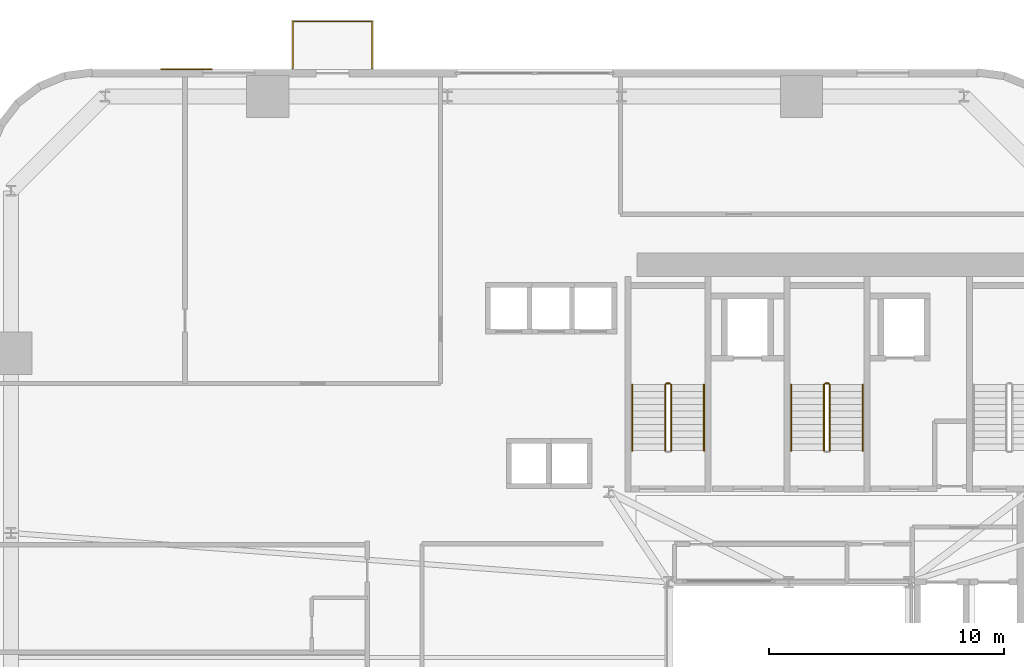
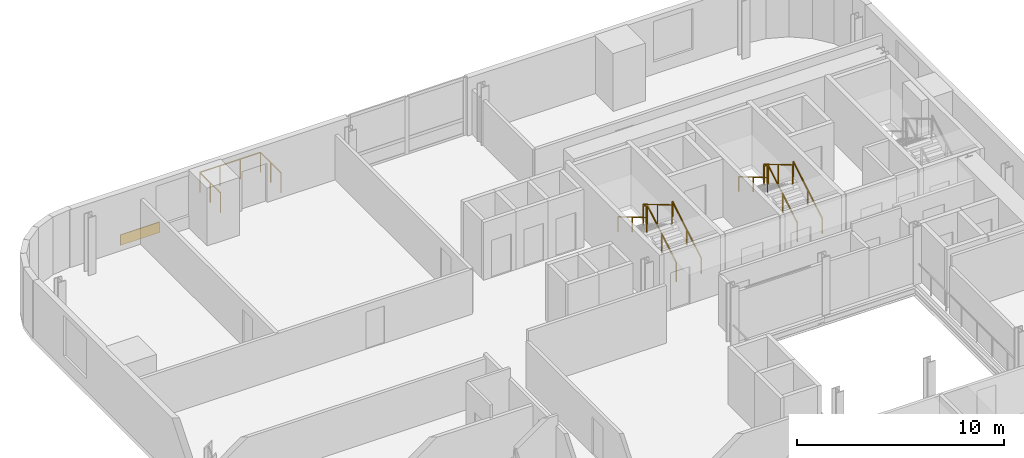
# One storey, part 12 of 13: 11 railings, 1 covering.
"""IFC4 building model written with IfcOpenShell, lengths in metres."""

from ifc_helpers import new_model, si_unit, direction, frame, origin, origin_2d, place, context, subcontext, project, spatial, rectangle, extrude, source, transform, mapped, material, layer, layer_set, type_object, element, save


model = new_model("IFC4")

# Units and contexts
model_context = context("Model", 3, precision=1e-05, world=origin(), true_north=direction((0.0, 1.0)))
body_context = subcontext(model_context, "Body", "Model", "MODEL_VIEW")
ifc_project = project(units=[si_unit("LENGTHUNIT", "METRE"), si_unit("AREAUNIT", "SQUARE_METRE"), si_unit("VOLUMEUNIT", "CUBIC_METRE"), si_unit("PLANEANGLEUNIT", "RADIAN"), si_unit("MASSUNIT", "GRAM", prefix="KILO")], contexts=[model_context])

# Site, building, storey
site_placement = place(None, origin())
site = spatial("IfcSite", under=ifc_project, at=site_placement, CompositionType="ELEMENT")
building_placement = place(site_placement, origin())
building = spatial("IfcBuilding", under=site, at=building_placement, Name="Vardaveli Station Tower", CompositionType="ELEMENT")
storey_placement = place(building_placement, frame((0.0, 0.0, 38.550048828125)))
storey = spatial("IfcBuildingStorey", under=building, at=storey_placement, Name="L09", CompositionType="ELEMENT", Elevation=38.550048828125)

# Covering
ifc_material_1 = material(Name="Ventilated honed travertine stone cladding", Category="masonry")
ifc_layer = layer(ifc_material_1, 0.044921875, Name="Ventilated honed travertine stone cladding")
ifc_layer_set = layer_set([ifc_layer], Name="Ventilated honed travertine stone cladding")
covering_type = type_object("IfcCoveringType", Name="COV-CLAD-TR45", PredefinedType="CLADDING", material=ifc_layer_set)
shared_shape_1 = source(origin(), body_context, "Body", "SweptSolid", [
    extrude(rectangle(XDim=2.199951171875, YDim=0.044921875, at=origin_2d()), origin(), (0.0, 0.0, 1.0), 0.6201171875),
])
covering_placement = place(storey_placement, frame((10.705078125, 48.614501953125, 0.06982421875), z_axis=(0.0, 0.0, 1.0), x_axis=(1.0, 0.0, 0.0)))
element("IfcCovering", 1, at=covering_placement, inside=storey, type_object=covering_type, Name="CLD-TR-L09-N", PredefinedType="CLADDING", context=body_context, shape_type="MappedRepresentation", body=[
    mapped(shared_shape_1, transform((0.0, 0.0, 0.0), scale=1.0)),
])

# Railings
ifc_material_2 = material(Name="Laminated glass and stainless steel balustrade", Category="steel")
railing_type_1 = type_object("IfcRailingType", Name="RL-BAL-1200", PredefinedType="BALUSTRADE", material=ifc_material_2)
shared_shape_2 = source(origin(), body_context, "Body", "SweptSolid", [
    extrude(rectangle(XDim=0.048095703125, YDim=0.048095703125, at=origin_2d()), frame((0.0, 0.0, 1.17578125), z_axis=(0.0, 1.0, 0.0), x_axis=(-1.0, 0.0, 0.0)), (0.0, 0.0, 1.0), 2.0),
    extrude(rectangle(XDim=0.048095703125, YDim=0.048095703125, at=origin_2d()), frame((0.0, 2.0, 1.17578125), z_axis=(1.0, 0.0, 0.0), x_axis=(0.0, 1.0, 0.0)), (0.0, 0.0, 1.0), 3.3798828125),
    extrude(rectangle(XDim=0.048095703125, YDim=0.048095703125, at=origin_2d()), frame((3.3798828125, 2.0, 1.17578125), z_axis=(0.0, -1.0, 0.0), x_axis=(1.0, 0.0, 0.0)), (0.0, 0.0, 1.0), 2.0),
    extrude(rectangle(XDim=0.0419921875, YDim=0.0419921875, at=origin_2d()), origin(), (0.0, 0.0, 1.0), 1.15185546875),
    extrude(rectangle(XDim=0.0419921875, YDim=0.0419921875, at=origin_2d()), frame((0.0, 1.0, 0.0)), (0.0, 0.0, 1.0), 1.15185546875),
    extrude(rectangle(XDim=0.0419921875, YDim=0.0419921875, at=origin_2d()), frame((0.0, 2.0, 0.0)), (0.0, 0.0, 1.0), 1.15185546875),
    extrude(rectangle(XDim=0.0419921875, YDim=0.0419921875, at=origin_2d()), frame((1.126708984375, 2.0, 0.0)), (0.0, 0.0, 1.0), 1.15185546875),
    extrude(rectangle(XDim=0.0419921875, YDim=0.0419921875, at=origin_2d()), frame((2.253173828125, 2.0, 0.0)), (0.0, 0.0, 1.0), 1.15185546875),
    extrude(rectangle(XDim=0.0419921875, YDim=0.0419921875, at=origin_2d()), frame((3.3798828125, 2.0, 0.0)), (0.0, 0.0, 1.0), 1.15185546875),
    extrude(rectangle(XDim=0.0419921875, YDim=0.0419921875, at=origin_2d()), frame((3.3798828125, 1.0, 0.0)), (0.0, 0.0, 1.0), 1.15185546875),
    extrude(rectangle(XDim=0.0419921875, YDim=0.0419921875, at=origin_2d()), frame((3.3798828125, 0.0, 0.0)), (0.0, 0.0, 1.0), 1.15185546875),
])
railing_placement = place(storey_placement, frame((15.220458984375, 48.639892578125, 0.0)))
element("IfcRailing", 2, at=railing_placement, inside=storey, type_object=railing_type_1, Name="RL-LOG-L09-02", PredefinedType="BALUSTRADE", context=body_context, shape_type="MappedRepresentation", body=[
    mapped(shared_shape_2, transform((0.0, 0.0, 0.0), scale=1.0)),
])
ifc_material_3 = material(Name="Brushed AISI 316 stainless steel", Category="steel")
railing_type_2 = type_object("IfcRailingType", Name="RL-GUARD-1150", PredefinedType="GUARDRAIL", material=ifc_material_3)
shared_shape_3 = source(origin(), body_context, "Body", "SweptSolid", [
    extrude(rectangle(XDim=0.048095703125, YDim=0.048095703125, at=origin_2d()), frame((0.0, 0.0, 1.1259765625), z_axis=(-1.0, 0.0, 0.0), x_axis=(0.0, -1.0, 0.0)), (0.0, 0.0, 1.0), 0.14990234375),
    extrude(rectangle(XDim=0.0419921875, YDim=0.0419921875, at=origin_2d()), origin(), (0.0, 0.0, 1.0), 1.101806640625),
    extrude(rectangle(XDim=0.0419921875, YDim=0.0419921875, at=origin_2d()), frame((-0.14990234375, 0.0, 0.0)), (0.0, 0.0, 1.0), 1.101806640625),
])
for number, where, name in (
    (3, (31.25, 35.25, 1.824951171875), "L09 ST-1 stair guard 2"),
    (4, (38.0, 35.25, 1.824951171875), "L09 ST-2 stair guard 2"),
):
    element("IfcRailing", number, at=place(storey_placement, frame(where)), inside=storey, type_object=railing_type_2, Name=name, PredefinedType="GUARDRAIL", context=body_context, shape_type="MappedRepresentation", body=[
        mapped(shared_shape_3, transform((0.0, 0.0, 0.0), scale=1.0)),
    ])
shared_shape_4 = source(origin(), body_context, "Body", "SweptSolid", [
    extrude(rectangle(XDim=0.048095703125, YDim=0.048095703125, at=origin_2d()), frame((0.0, 0.0, 1.1259765625), z_axis=(0.0, 0.860306154799, 0.50977771628), x_axis=(-1.0, 0.0, 0.0)), (0.0, 0.0, 1.0), 3.254638671875),
    extrude(rectangle(XDim=0.0419921875, YDim=0.0419921875, at=origin_2d()), origin(), (0.0, 0.0, 1.0), 1.101806640625),
    extrude(rectangle(XDim=0.0419921875, YDim=0.0419921875, at=origin_2d()), frame((0.0, 1.39990234375, 0.82958984375)), (0.0, 0.0, 1.0), 1.101806640625),
    extrude(rectangle(XDim=0.0419921875, YDim=0.0419921875, at=origin_2d()), frame((0.0, 2.800048828125, 1.6591796875)), (0.0, 0.0, 1.0), 1.101806640625),
])
for number, where, name in (
    (5, (31.300048828125, 32.39990234375, 0.165771484375), "L09 ST-1 stair guard 1"),
    (6, (38.050048828125, 32.39990234375, 0.165771484375), "L09 ST-2 stair guard 1"),
):
    element("IfcRailing", number, at=place(storey_placement, frame(where)), inside=storey, type_object=railing_type_2, Name=name, PredefinedType="GUARDRAIL", context=body_context, shape_type="MappedRepresentation", body=[
        mapped(shared_shape_4, transform((0.0, 0.0, 0.0), scale=1.0)),
    ])
railing_type_3 = type_object("IfcRailingType", Name="RL-HAND-900", PredefinedType="HANDRAIL", material=ifc_material_3)
shared_shape_5 = source(origin(), body_context, "Body", "SweptSolid", [
    extrude(rectangle(XDim=0.048095703125, YDim=0.048095703125, at=origin_2d()), frame((0.0, 0.0, 0.8759765625), z_axis=(0.0, 0.860306154799, 0.50977771628), x_axis=(-1.0, 0.0, 0.0)), (0.0, 0.0, 1.0), 3.254638671875),
    extrude(rectangle(XDim=0.0419921875, YDim=0.0419921875, at=origin_2d()), origin(), (0.0, 0.0, 1.0), 0.851806640625),
    extrude(rectangle(XDim=0.0419921875, YDim=0.0419921875, at=origin_2d()), frame((0.0, 1.39990234375, 0.82958984375)), (0.0, 0.0, 1.0), 0.851806640625),
    extrude(rectangle(XDim=0.0419921875, YDim=0.0419921875, at=origin_2d()), frame((0.0, 2.800048828125, 1.6591796875)), (0.0, 0.0, 1.0), 0.851806640625),
])
for number, where, name in (
    (7, (32.699951171875, 32.39990234375, 0.165771484375), "L09 ST-1 stair handrail 1"),
    (8, (39.449951171875, 32.39990234375, 0.165771484375), "L09 ST-2 stair handrail 1"),
):
    element("IfcRailing", number, at=place(storey_placement, frame(where)), inside=storey, type_object=railing_type_3, Name=name, PredefinedType="HANDRAIL", context=body_context, shape_type="MappedRepresentation", body=[
        mapped(shared_shape_5, transform((0.0, 0.0, 0.0), scale=1.0)),
    ])
shared_shape_6 = source(origin(), body_context, "Body", "SweptSolid", [
    extrude(rectangle(XDim=0.048095703125, YDim=0.048095703125, at=origin_2d()), frame((0.0, 0.0, 1.1259765625), z_axis=(0.0, -0.860339051648, 0.50972219513), x_axis=(1.0, 0.0, 0.0)), (0.0, 0.0, 1.0), 3.254638671875),
    extrude(rectangle(XDim=0.0419921875, YDim=0.0419921875, at=origin_2d()), origin(), (0.0, 0.0, 1.0), 1.101806640625),
    extrude(rectangle(XDim=0.0419921875, YDim=0.0419921875, at=origin_2d()), frame((0.0, -1.39990234375, 0.82958984375)), (0.0, 0.0, 1.0), 1.101806640625),
    extrude(rectangle(XDim=0.0419921875, YDim=0.0419921875, at=origin_2d()), frame((0.0, -2.800048828125, 1.658935546875)), (0.0, 0.0, 1.0), 1.101806640625),
])
for number, where, name in (
    (9, (31.050048828125, 35.199951171875, 1.990966796875), "L09 ST-1 stair guard 3"),
    (10, (37.800048828125, 35.199951171875, 1.990966796875), "L09 ST-2 stair guard 3"),
):
    element("IfcRailing", number, at=place(storey_placement, frame(where)), inside=storey, type_object=railing_type_2, Name=name, PredefinedType="GUARDRAIL", context=body_context, shape_type="MappedRepresentation", body=[
        mapped(shared_shape_6, transform((0.0, 0.0, 0.0), scale=1.0)),
    ])
shared_shape_7 = source(origin(), body_context, "Body", "SweptSolid", [
    extrude(rectangle(XDim=0.048095703125, YDim=0.048095703125, at=origin_2d()), frame((0.0, 0.0, 0.8759765625), z_axis=(0.0, -0.860339051648, 0.50972219513), x_axis=(1.0, 0.0, 0.0)), (0.0, 0.0, 1.0), 3.254638671875),
    extrude(rectangle(XDim=0.0419921875, YDim=0.0419921875, at=origin_2d()), origin(), (0.0, 0.0, 1.0), 0.851806640625),
    extrude(rectangle(XDim=0.0419921875, YDim=0.0419921875, at=origin_2d()), frame((0.0, -1.39990234375, 0.82958984375)), (0.0, 0.0, 1.0), 0.851806640625),
    extrude(rectangle(XDim=0.0419921875, YDim=0.0419921875, at=origin_2d()), frame((0.0, -2.800048828125, 1.658935546875)), (0.0, 0.0, 1.0), 0.851806640625),
])
for number, where, name in (
    (11, (29.64990234375, 35.199951171875, 1.990966796875), "L09 ST-1 stair handrail 2"),
    (12, (36.39990234375, 35.199951171875, 1.990966796875), "L09 ST-2 stair handrail 2"),
):
    element("IfcRailing", number, at=place(storey_placement, frame(where)), inside=storey, type_object=railing_type_3, Name=name, PredefinedType="HANDRAIL", context=body_context, shape_type="MappedRepresentation", body=[
        mapped(shared_shape_7, transform((0.0, 0.0, 0.0), scale=1.0)),
    ])

save(model, "model.ifc")
